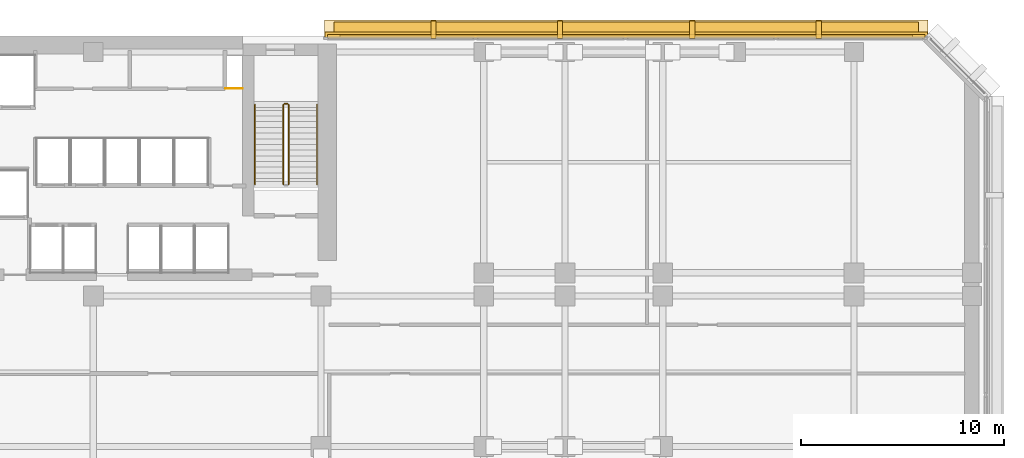
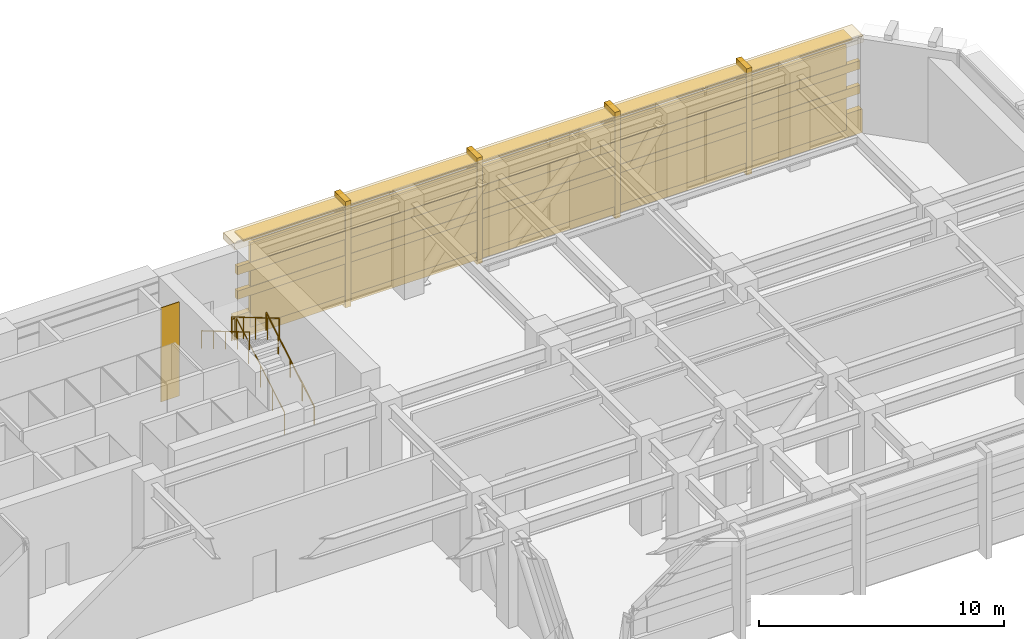
# One storey, part 12 of 13: 9 coverings, 5 railings, 2 shading devices.
"""IFC4 building model written with IfcOpenShell, lengths in metres."""

from ifc_helpers import new_model, si_unit, direction, frame, origin, origin_2d, place, context, subcontext, project, spatial, polyline, rectangle, circle, outline, extrude, material, layer, layer_set, type_object, element, save


model = new_model("IFC4")

# Units and contexts
model_context = context("Model", 3, precision=1e-05, world=origin(), true_north=direction((0.0, 1.0)))
body_context = subcontext(model_context, "Body", "Model", "MODEL_VIEW")
ifc_project = project(units=[si_unit("LENGTHUNIT", "METRE"), si_unit("AREAUNIT", "SQUARE_METRE"), si_unit("VOLUMEUNIT", "CUBIC_METRE"), si_unit("PLANEANGLEUNIT", "RADIAN"), si_unit("MASSUNIT", "GRAM", prefix="KILO")], contexts=[model_context])

# Site, building, storey
site_placement = place(None, origin())
site = spatial("IfcSite", under=ifc_project, at=site_placement, CompositionType="ELEMENT")
building_placement = place(site_placement, origin())
building = spatial("IfcBuilding", under=site, at=building_placement, Name="Kefirva Bronze Tower", CompositionType="ELEMENT")
storey_placement = place(building_placement, frame((0.0, 0.0, 93.719970703125)))
storey = spatial("IfcBuildingStorey", under=building, at=storey_placement, Name="L22", CompositionType="ELEMENT", Elevation=93.719970703125)

# Coverings
ifc_material_1 = material(Name="Bronze anodised aluminium", Category="aluminium")
ifc_layer_1 = layer(ifc_material_1, 0.02001953125, Name="Bronze anodised aluminium")
ifc_layer_set_1 = layer_set([ifc_layer_1], Name="Bronze anodised aluminium")
covering_type_1 = type_object("IfcCoveringType", Name="Anodised Bronze Spandrel Cladding 20mm", PredefinedType="CLADDING", material=ifc_layer_set_1)
covering_1_placement = place(storey_placement, frame((38.202392578125, 46.0400390625, -0.16015625), z_axis=(0.0, 0.0, 1.0), x_axis=(-1.0, 0.0, 0.0)))
element("IfcCovering", 1, at=covering_1_placement, inside=storey, type_object=covering_type_1, Name="L22 Streamline Horizontal Spandrel Band 8", PredefinedType="CLADDING", context=body_context, shape_type="SweptSolid", body=[
    extrude(rectangle(XDim=29.635009765625, YDim=0.280029296875, at=origin_2d()), origin(), (0.0, 0.0, 1.0), 1.179931640625),
])
for number, where, z_axis, x_axis, name in (
    (2, (38.202392578125, 45.9599609375, 1.858154296875), (0.0, 0.0, 1.0), (-1.0, 0.0, 0.0), "L22 Recessed Zone-Break Bronze Louvre Band 8-1"),
    (3, (38.202392578125, 45.9599609375, 3.080078125), (0.0, 0.0, 1.0), (-1.0, 0.0, 0.0), "L22 Recessed Zone-Break Bronze Louvre Band 8-2"),
):
    element("IfcCovering", number, at=place(storey_placement, frame(where, z_axis=z_axis, x_axis=x_axis)), inside=storey, type_object=covering_type_1, Name=name, PredefinedType="CLADDING", context=body_context, shape_type="SweptSolid", body=[
        extrude(rectangle(XDim=29.39501953125, YDim=0.199951171875, at=origin_2d()), origin(), (0.0, 0.0, 1.0), 0.419921875),
    ])
covering_2_placement = place(storey_placement, origin())
element("IfcCovering", 4, at=covering_2_placement, inside=storey, type_object=covering_type_1, Name="L22 Core MEP Riser Shaft Liner South", PredefinedType="CLADDING", context=body_context, shape_type="SweptSolid", body=[
    extrude(outline(polyline([(18.47998046875, 43.39990234375), (19.360107421875, 43.39990234375), (19.360107421875, 43.429931640625), (18.47998046875, 43.429931640625), (18.47998046875, 43.39990234375)])), origin(), (0.0, 0.0, 1.0), 4.699951171875),
])

# Shading device
ifc_layer_2 = layer(ifc_material_1, 0.090087890625, Name="Bronze anodised aluminium")
ifc_layer_set_2 = layer_set([ifc_layer_2], Name="Bronze anodised aluminium")
shading_device_type_1 = type_object("IfcShadingDeviceType", Name="Horizontal Bronze Sunshade Band 750mm", PredefinedType="JALOUSIE", material=ifc_layer_set_2)
shading_device_1_placement = place(storey_placement, frame((38.202392578125, 46.294921875, 4.59521484375), z_axis=(0.0, 0.0, 1.0), x_axis=(-1.0, 0.0, 0.0)))
element("IfcShadingDevice", 5, at=shading_device_1_placement, inside=storey, type_object=shading_device_type_1, Name="L22 Horizontal Bronze Sunshade Band 8", PredefinedType="JALOUSIE", context=body_context, shape_type="SweptSolid", body=[
    extrude(rectangle(XDim=28.739990234375, YDim=0.75, at=origin_2d()), origin(), (0.0, 0.0, 1.0), 0.090087890625),
])

# Railings
ifc_material_2 = material(Name="Stainless steel 316", Category="steel")
railing_type_1 = type_object("IfcRailingType", Name="Interior Stair Guardrail 1100mm", PredefinedType="GUARDRAIL", material=ifc_material_2)
railing_1_placement = place(storey_placement, frame((21.60009765625, 38.699951171875, 0.1650390625)))
element("IfcRailing", 6, at=railing_1_placement, inside=storey, type_object=railing_type_1, Name="L22 ST-2 stair guard 1", PredefinedType="GUARDRAIL", context=body_context, shape_type="SweptSolid", body=[
    extrude(circle(Radius=0.02392578125, at=origin_2d()), frame((0.0, 0.0, 1.076171875), z_axis=(0.0, 0.861542233256, 0.507685907148), x_axis=(-1.0, 0.0, 0.0)), (0.0, 0.0, 1.0), 4.55029296875),
    extrude(circle(Radius=0.02099609375, at=origin_2d()), origin(), (0.0, 0.0, 1.0), 1.052001953125),
    extrude(circle(Radius=0.02099609375, at=origin_2d()), frame((0.0, 0.97998046875, 0.57763671875)), (0.0, 0.0, 1.0), 1.052001953125),
    extrude(circle(Radius=0.02099609375, at=origin_2d()), frame((0.0, 1.9599609375, 1.155029296875)), (0.0, 0.0, 1.0), 1.052001953125),
    extrude(circle(Radius=0.02099609375, at=origin_2d()), frame((0.0, 2.940185546875, 1.732421875)), (0.0, 0.0, 1.0), 1.052001953125),
    extrude(circle(Radius=0.02099609375, at=origin_2d()), frame((0.0, 3.920166015625, 2.31005859375)), (0.0, 0.0, 1.0), 1.052001953125),
])
railing_2_placement = place(storey_placement, frame((21.550048828125, 42.669921875, 2.47509765625)))
element("IfcRailing", 7, at=railing_2_placement, inside=storey, type_object=railing_type_1, Name="L22 ST-2 stair guard 2", PredefinedType="GUARDRAIL", context=body_context, shape_type="SweptSolid", body=[
    extrude(circle(Radius=0.02392578125, at=origin_2d()), frame((0.0, 0.0, 1.076171875), z_axis=(-1.0, 0.0, 0.0), x_axis=(0.0, -1.0, 0.0)), (0.0, 0.0, 1.0), 0.150146484375),
    extrude(circle(Radius=0.02099609375, at=origin_2d()), origin(), (0.0, 0.0, 1.0), 1.052001953125),
    extrude(circle(Radius=0.02099609375, at=origin_2d()), frame((-0.150146484375, 0.0, 0.0)), (0.0, 0.0, 1.0), 1.052001953125),
])
railing_3_placement = place(storey_placement, frame((21.35009765625, 42.6201171875, 2.64013671875)))
element("IfcRailing", 8, at=railing_3_placement, inside=storey, type_object=railing_type_1, Name="L22 ST-2 stair guard 3", PredefinedType="GUARDRAIL", context=body_context, shape_type="SweptSolid", body=[
    extrude(circle(Radius=0.02392578125, at=origin_2d()), frame((0.0, 0.0, 1.076171875), z_axis=(0.0, -0.861565701394, 0.507646079647), x_axis=(1.0, 0.0, 0.0)), (0.0, 0.0, 1.0), 4.550048828125),
    extrude(circle(Radius=0.02099609375, at=origin_2d()), origin(), (0.0, 0.0, 1.0), 1.052001953125),
    extrude(circle(Radius=0.02099609375, at=origin_2d()), frame((0.0, -0.97998046875, 0.577392578125)), (0.0, 0.0, 1.0), 1.052001953125),
    extrude(circle(Radius=0.02099609375, at=origin_2d()), frame((0.0, -1.9599609375, 1.15478515625)), (0.0, 0.0, 1.0), 1.052001953125),
    extrude(circle(Radius=0.02099609375, at=origin_2d()), frame((0.0, -2.940185546875, 1.732421875)), (0.0, 0.0, 1.0), 1.052001953125),
    extrude(circle(Radius=0.02099609375, at=origin_2d()), frame((0.0, -3.920166015625, 2.309814453125)), (0.0, 0.0, 1.0), 1.052001953125),
])

# Shading device
ifc_layer_3 = layer(ifc_material_1, 0.159912109375, Name="Bronze anodised aluminium")
ifc_layer_set_3 = layer_set([ifc_layer_3], Name="Bronze anodised aluminium")
shading_device_type_2 = type_object("IfcShadingDeviceType", Name="Recessed Zone-Break Acoustic Louvre Screen", PredefinedType="SHUTTER", material=ifc_layer_set_3)
shading_device_2_placement = place(storey_placement, frame((38.202392578125, 45.9599609375, 0.25), z_axis=(0.0, 0.0, 1.0), x_axis=(-1.0, 0.0, 0.0)))
element("IfcShadingDevice", 9, at=shading_device_2_placement, inside=storey, type_object=shading_device_type_2, Name="L22 Acoustic Plant Louvre Screen 8", PredefinedType="SHUTTER", context=body_context, shape_type="SweptSolid", body=[
    extrude(rectangle(XDim=28.139892578125, YDim=0.159912109375, at=origin_2d()), origin(), (0.0, 0.0, 1.0), 4.199951171875),
])

# Railings
railing_type_2 = type_object("IfcRailingType", Name="Stair Pitch Handrail 900mm", PredefinedType="HANDRAIL", material=ifc_material_2)
railing_4_placement = place(storey_placement, frame((23.0, 38.699951171875, 0.1650390625)))
element("IfcRailing", 10, at=railing_4_placement, inside=storey, type_object=railing_type_2, Name="L22 ST-2 stair handrail 1", PredefinedType="HANDRAIL", context=body_context, shape_type="SweptSolid", body=[
    extrude(circle(Radius=0.02392578125, at=origin_2d()), frame((0.0, 0.0, 0.8759765625), z_axis=(0.0, 0.861542233256, 0.507685907148), x_axis=(-1.0, 0.0, 0.0)), (0.0, 0.0, 1.0), 4.55029296875),
    extrude(circle(Radius=0.02099609375, at=origin_2d()), origin(), (0.0, 0.0, 1.0), 0.851806640625),
    extrude(circle(Radius=0.02099609375, at=origin_2d()), frame((0.0, 0.97998046875, 0.57763671875)), (0.0, 0.0, 1.0), 0.851806640625),
    extrude(circle(Radius=0.02099609375, at=origin_2d()), frame((0.0, 1.9599609375, 1.155029296875)), (0.0, 0.0, 1.0), 0.851806640625),
    extrude(circle(Radius=0.02099609375, at=origin_2d()), frame((0.0, 2.940185546875, 1.732421875)), (0.0, 0.0, 1.0), 0.851806640625),
    extrude(circle(Radius=0.02099609375, at=origin_2d()), frame((0.0, 3.920166015625, 2.31005859375)), (0.0, 0.0, 1.0), 0.851806640625),
])
railing_5_placement = place(storey_placement, frame((19.949951171875, 42.6201171875, 2.64013671875)))
element("IfcRailing", 11, at=railing_5_placement, inside=storey, type_object=railing_type_2, Name="L22 ST-2 stair handrail 2", PredefinedType="HANDRAIL", context=body_context, shape_type="SweptSolid", body=[
    extrude(circle(Radius=0.02392578125, at=origin_2d()), frame((0.0, 0.0, 0.8759765625), z_axis=(0.0, -0.861565701394, 0.507646079647), x_axis=(1.0, 0.0, 0.0)), (0.0, 0.0, 1.0), 4.550048828125),
    extrude(circle(Radius=0.02099609375, at=origin_2d()), origin(), (0.0, 0.0, 1.0), 0.851806640625),
    extrude(circle(Radius=0.02099609375, at=origin_2d()), frame((0.0, -0.97998046875, 0.577392578125)), (0.0, 0.0, 1.0), 0.851806640625),
    extrude(circle(Radius=0.02099609375, at=origin_2d()), frame((0.0, -1.9599609375, 1.15478515625)), (0.0, 0.0, 1.0), 0.851806640625),
    extrude(circle(Radius=0.02099609375, at=origin_2d()), frame((0.0, -2.940185546875, 1.732421875)), (0.0, 0.0, 1.0), 0.851806640625),
    extrude(circle(Radius=0.02099609375, at=origin_2d()), frame((0.0, -3.920166015625, 2.309814453125)), (0.0, 0.0, 1.0), 0.851806640625),
])

# Coverings
ifc_layer_4 = layer(ifc_material_1, 0.179931640625, Name="Bronze anodised aluminium")
ifc_layer_set_4 = layer_set([ifc_layer_4], Name="Bronze anodised aluminium")
covering_type_2 = type_object("IfcCoveringType", Name="Streamline Bronze Sunshade Eyebrow Cladding 180mm", PredefinedType="CLADDING", material=ifc_layer_set_4)
covering_3_placement = place(storey_placement, frame((38.202392578125, 46.31005859375, 4.3798828125), z_axis=(0.0, 0.0, 1.0), x_axis=(-1.0, 0.0, 0.0)))
element("IfcCovering", 12, at=covering_3_placement, inside=storey, type_object=covering_type_2, Name="L22 Streamline Bronze Sunshade Eyebrow 8", PredefinedType="CLADDING", context=body_context, shape_type="SweptSolid", body=[
    extrude(rectangle(XDim=29.675048828125, YDim=0.93994140625, at=origin_2d()), origin(), (0.0, 0.0, 1.0), 0.320068359375),
])
ifc_layer_5 = layer(ifc_material_1, 0.260009765625, Name="Bronze anodised aluminium")
ifc_layer_set_5 = layer_set([ifc_layer_5], Name="Bronze anodised aluminium")
covering_type_3 = type_object("IfcCoveringType", Name="Unbroken Bronze Buttress Fin Cladding 260mm", PredefinedType="CLADDING", material=ifc_layer_set_5)
for number, where, z_axis, x_axis, name in (
    (13, (47.6728515625, 46.300048828125, -0.35009765625), (0.0, 0.0, 1.0), (-1.0, 0.0, 0.0), "L22 Unbroken Vertical Bronze Rib Fin 19"),
    (14, (41.4580078125, 46.300048828125, -0.35009765625), (0.0, 0.0, 1.0), (-1.0, 0.0, 0.0), "L22 Unbroken Vertical Bronze Rib Fin 20"),
    (15, (34.947021484375, 46.300048828125, -0.35009765625), (0.0, 0.0, 1.0), (-1.0, 0.0, 0.0), "L22 Unbroken Vertical Bronze Rib Fin 21"),
    (16, (28.732177734375, 46.300048828125, -0.35009765625), (0.0, 0.0, 1.0), (-1.0, 0.0, 0.0), "L22 Unbroken Vertical Bronze Rib Fin 22"),
):
    element("IfcCovering", number, at=place(storey_placement, frame(where, z_axis=z_axis, x_axis=x_axis)), inside=storey, type_object=covering_type_3, Name=name, PredefinedType="CLADDING", context=body_context, shape_type="SweptSolid", body=[
        extrude(rectangle(XDim=0.260009765625, YDim=0.8798828125, at=origin_2d()), origin(), (0.0, 0.0, 1.0), 5.300048828125),
    ])

save(model, "model.ifc")
